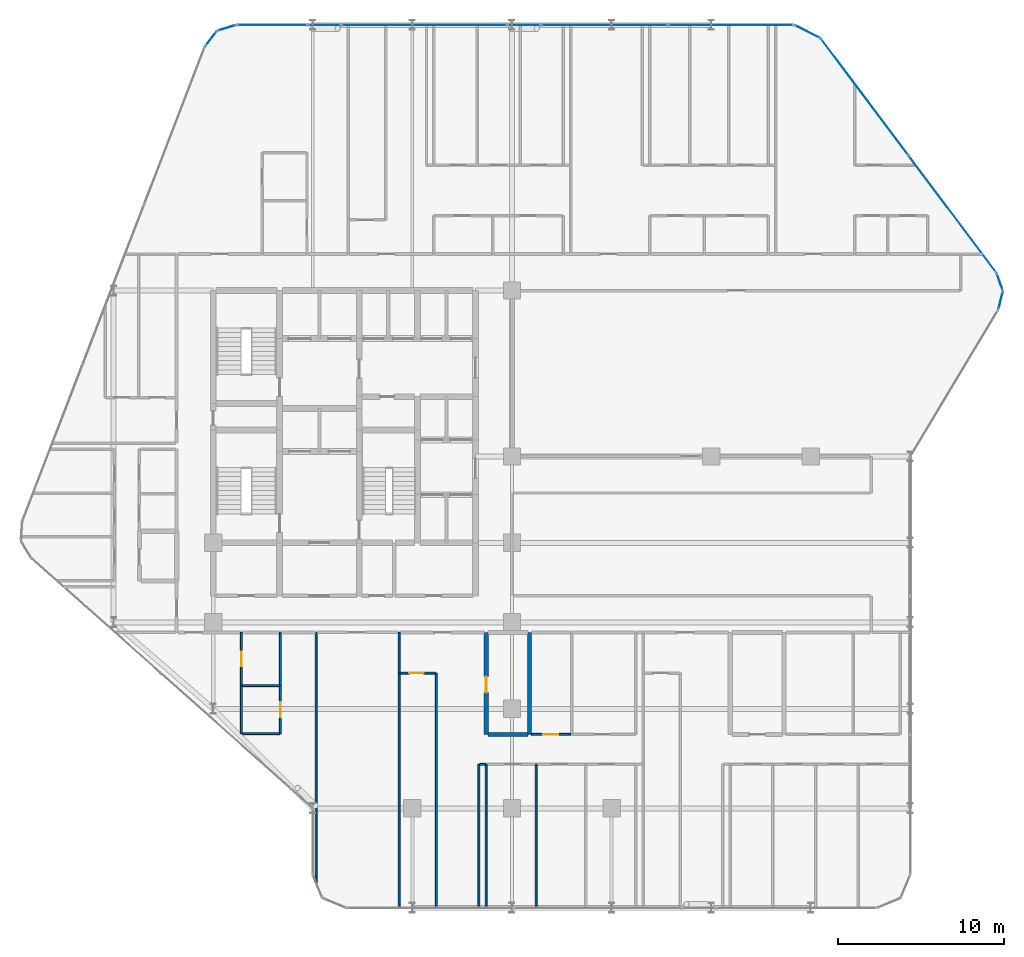
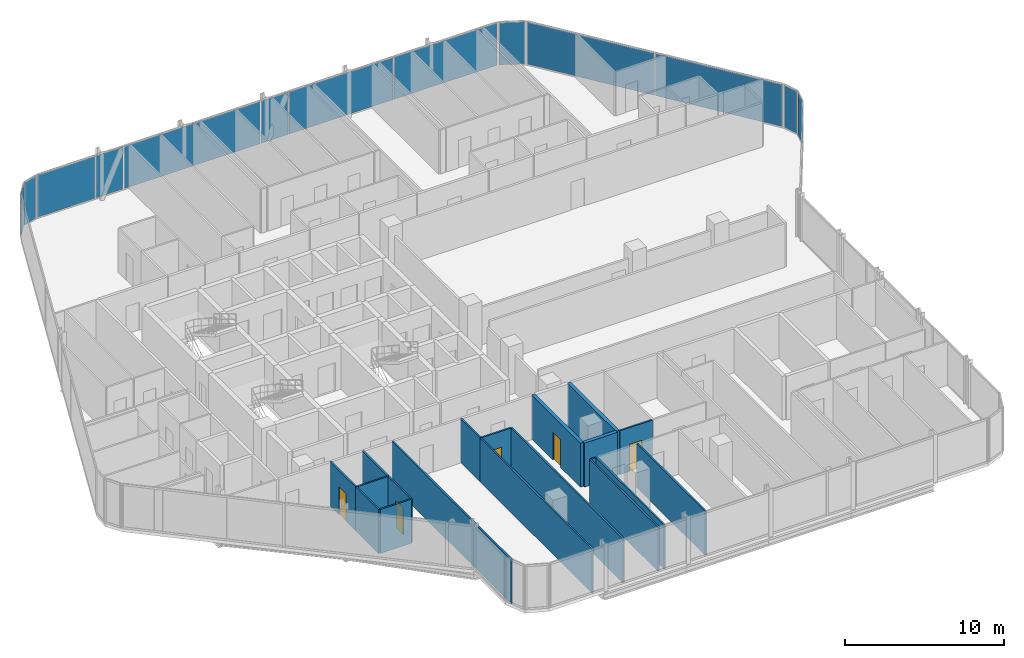
# One storey, part 22 of 29: 19 walls, 13 plates, 5 doors, 5 openings, 11 elements without a shape of their own.
"""IFC4 building model written with IfcOpenShell, lengths in metres."""

from ifc_helpers import new_model, si_unit, direction, frame, frame_2d, origin, origin_2d, place, context, subcontext, project, spatial, rectangle, extrude, material, layer, layer_set, type_object, element, fill, aggregate, save


model = new_model("IFC4")

# Units and contexts
model_context = context("Model", 3, precision=1e-05, world=origin(), true_north=direction((0.0, 1.0)))
body_context = subcontext(model_context, "Body", "Model", "MODEL_VIEW")
ifc_project = project(units=[si_unit("LENGTHUNIT", "METRE"), si_unit("AREAUNIT", "SQUARE_METRE"), si_unit("VOLUMEUNIT", "CUBIC_METRE"), si_unit("PLANEANGLEUNIT", "RADIAN"), si_unit("MASSUNIT", "GRAM", prefix="KILO")], contexts=[model_context])

# Site, building, storey
site_placement = place(None, origin())
site = spatial("IfcSite", under=ifc_project, at=site_placement, CompositionType="ELEMENT")
building_placement = place(site_placement, origin())
building = spatial("IfcBuilding", under=site, at=building_placement, Name="Keshet Zoharim Tower", CompositionType="ELEMENT")
storey_placement = place(building_placement, frame((0.0, 0.0, 105.699951171875)))
storey = spatial("IfcBuildingStorey", under=building, at=storey_placement, Name="L25", CompositionType="ELEMENT", Elevation=105.699951171875)

# Curtain wall, plate
ifc_material_1 = material(Name="Aluminium 6063-T6", Category="aluminium")
ifc_layer_1 = layer(ifc_material_1, 0.159912109375)
ifc_layer_set_1 = layer_set([ifc_layer_1], Name="Aluminium 6063-T6")
curtain_wall_type = type_object("IfcCurtainWallType", Name="CW-SYS-03", PredefinedType="NOTDEFINED", material=ifc_layer_set_1)
curtain_wall_1_placement = place(storey_placement, origin())
curtain_wall_1 = element("IfcCurtainWall", 1, at=curtain_wall_1_placement, inside=storey, type_object=curtain_wall_type, Name="L25 Unitised Curtain Wall 11", PredefinedType="NOTDEFINED")
ifc_material_2 = material(Name="Insulated Low-E Clear Glass", Category="glass")
ifc_layer_2 = layer(ifc_material_2, 0.035888671875)
ifc_layer_set_2 = layer_set([ifc_layer_2], Name="Insulated Low-E Clear Glass")
plate_type_1 = type_object("IfcPlateType", Name="CWP-01", PredefinedType="CURTAIN_PANEL", material=ifc_layer_set_2)
plate_1_placement = place(storey_placement, frame((14.8740234375, 53.08349609375, 0.070068359375), z_axis=(0.0, 0.0, 1.0), x_axis=(0.619124525989, 0.785292825205, 0.0)))
plate_1 = element("IfcPlate", 2, at=plate_1_placement, type_object=plate_type_1, Name="CW-03 panel 1.1", PredefinedType="CURTAIN_PANEL", context=body_context, shape_type="SweptSolid", body=[
    extrude(rectangle(XDim=1.045654296875, YDim=0.035888671875, at=origin_2d()), origin(), (0.0, 0.0, 1.0), 3.2451171875),
])
aggregate(curtain_wall_1, [plate_1])

curtain_wall_2_placement = place(storey_placement, origin())
curtain_wall_2 = element("IfcCurtainWall", 3, at=curtain_wall_2_placement, inside=storey, type_object=curtain_wall_type, Name="L25 Unitised Curtain Wall 12", PredefinedType="NOTDEFINED")
plate_2_placement = place(storey_placement, frame((15.8076171875, 53.724609375, 0.070068359375), z_axis=(0.0, 0.0, 1.0), x_axis=(0.955212151288, 0.295921857984, 0.0)))
plate_2 = element("IfcPlate", 4, at=plate_2_placement, type_object=plate_type_1, Name="CW-03 panel 1.1", PredefinedType="CURTAIN_PANEL", context=body_context, shape_type="SweptSolid", body=[
    extrude(rectangle(XDim=1.046142578125, YDim=0.035888671875, at=origin_2d()), origin(), (0.0, 0.0, 1.0), 3.2451171875),
])
aggregate(curtain_wall_2, [plate_2])

curtain_wall_3_placement = place(storey_placement, origin())
curtain_wall_3 = element("IfcCurtainWall", 5, at=curtain_wall_3_placement, inside=storey, type_object=curtain_wall_type, Name="L25 Unitised Curtain Wall 13", PredefinedType="NOTDEFINED")
ifc_layer_3 = layer(ifc_material_2, 0.031982421875)
ifc_layer_set_3 = layer_set([ifc_layer_3], Name="Insulated Low-E Clear Glass")
plate_type_2 = type_object("IfcPlateType", Name="CWP-02", PredefinedType="CURTAIN_PANEL", material=ifc_layer_set_3)
plate_3_placement = place(storey_placement, frame((18.5556640625, 53.89990234375, 0.070068359375), z_axis=(0.0, 0.0, 1.0), x_axis=(1.0, 0.0, 0.0)))
plate_3 = element("IfcPlate", 6, at=plate_3_placement, type_object=plate_type_2, Name="CW-03 panel 1.1", PredefinedType="CURTAIN_PANEL", context=body_context, shape_type="SweptSolid", body=[
    extrude(rectangle(XDim=4.223388671875, YDim=0.031982421875, at=origin_2d()), origin(), (0.0, 0.0, 1.0), 3.2451171875),
])
aggregate(curtain_wall_3, [plate_3])

curtain_wall_4_placement = place(storey_placement, origin())
curtain_wall_4 = element("IfcCurtainWall", 7, at=curtain_wall_4_placement, inside=storey, type_object=curtain_wall_type, Name="L25 Unitised Curtain Wall 13 Part 3", PredefinedType="NOTDEFINED")
plate_4_placement = place(storey_placement, frame((27.715087890625, 53.89990234375, 0.070068359375), z_axis=(0.0, 0.0, 1.0), x_axis=(1.0, 0.0, 0.0)))
plate_4 = element("IfcPlate", 8, at=plate_4_placement, type_object=plate_type_2, Name="CW-03 panel 1.1", PredefinedType="CURTAIN_PANEL", context=body_context, shape_type="SweptSolid", body=[
    extrude(rectangle(XDim=9.90478515625, YDim=0.031982421875, at=origin_2d()), origin(), (0.0, 0.0, 1.0), 3.2451171875),
])
aggregate(curtain_wall_4, [plate_4])

# Curtain wall, plates
curtain_wall_5_placement = place(storey_placement, origin())
curtain_wall_5 = element("IfcCurtainWall", 9, at=curtain_wall_5_placement, inside=storey, type_object=curtain_wall_type, Name="L25 Unitised Curtain Wall 13 Part 5", PredefinedType="NOTDEFINED")
plate_5_placement = place(storey_placement, frame((38.554443359375, 53.89990234375, 0.070068359375), z_axis=(0.0, 0.0, 1.0), x_axis=(1.0, 0.0, 0.0)))
plate_5 = element("IfcPlate", 10, at=plate_5_placement, type_object=plate_type_2, Name="CW-03 panel 1.1", PredefinedType="CURTAIN_PANEL", context=body_context, shape_type="SweptSolid", body=[
    extrude(rectangle(XDim=7.583740234375, YDim=0.031982421875, at=origin_2d()), origin(), (0.0, 0.0, 1.0), 3.2451171875),
])
plate_6_placement = place(storey_placement, frame((46.173095703125, 53.89990234375, 0.070068359375), z_axis=(0.0, 0.0, 1.0), x_axis=(1.0, 0.0, 0.0)))
plate_6 = element("IfcPlate", 11, at=plate_6_placement, type_object=plate_type_2, Name="CW-03 panel 2.1", PredefinedType="CURTAIN_PANEL", context=body_context, shape_type="SweptSolid", body=[
    extrude(rectangle(XDim=7.513671875, YDim=0.031982421875, at=origin_2d()), origin(), (0.0, 0.0, 1.0), 3.2451171875),
])
aggregate(curtain_wall_5, [plate_5, plate_6])

# Curtain wall, plate
curtain_wall_6_placement = place(storey_placement, origin())
curtain_wall_6 = element("IfcCurtainWall", 12, at=curtain_wall_6_placement, inside=storey, type_object=curtain_wall_type, Name="L25 Unitised Curtain Wall 14", PredefinedType="NOTDEFINED")
plate_7_placement = place(storey_placement, frame((50.800048828125, 53.5, 0.070068359375), z_axis=(0.0, 0.0, 1.0), x_axis=(0.894427191001, -0.447213595499, 0.0)))
plate_7 = element("IfcPlate", 13, at=plate_7_placement, type_object=plate_type_2, Name="CW-03 panel 1.1", PredefinedType="CURTAIN_PANEL", context=body_context, shape_type="SweptSolid", body=[
    extrude(rectangle(XDim=1.64892578125, YDim=0.031982421875, at=origin_2d()), origin(), (0.0, 0.0, 1.0), 3.2451171875),
])
aggregate(curtain_wall_6, [plate_7])

# Curtain wall, plates
curtain_wall_7_placement = place(storey_placement, origin())
curtain_wall_7 = element("IfcCurtainWall", 14, at=curtain_wall_7_placement, inside=storey, type_object=curtain_wall_type, Name="L25 Unitised Curtain Wall 15", PredefinedType="NOTDEFINED")
plate_8_placement = place(storey_placement, frame((54.2587890625, 49.554931640625, 0.070068359375), z_axis=(0.0, 0.0, 1.0), x_axis=(0.600000000002, -0.799999999998, 0.0)))
plate_8 = element("IfcPlate", 15, at=plate_8_placement, type_object=plate_type_2, Name="CW-03 panel 1.1", PredefinedType="CURTAIN_PANEL", context=body_context, shape_type="SweptSolid", body=[
    extrude(rectangle(XDim=8.722412109375, YDim=0.031982421875, at=origin_2d()), origin(), (0.0, 0.0, 1.0), 3.2451171875),
])
plate_9_placement = place(storey_placement, frame((59.5341796875, 42.52099609375, 0.070068359375), z_axis=(0.0, 0.0, 1.0), x_axis=(0.600000000002, -0.799999999998, 0.0)))
plate_9 = element("IfcPlate", 16, at=plate_9_placement, type_object=plate_type_2, Name="CW-03 panel 2.1", PredefinedType="CURTAIN_PANEL", context=body_context, shape_type="SweptSolid", body=[
    extrude(rectangle(XDim=8.722412109375, YDim=0.031982421875, at=origin_2d()), origin(), (0.0, 0.0, 1.0), 3.2451171875),
])
aggregate(curtain_wall_7, [plate_8, plate_9])

# Curtain wall, plate
curtain_wall_8_placement = place(storey_placement, origin())
curtain_wall_8 = element("IfcCurtainWall", 17, at=curtain_wall_8_placement, inside=storey, type_object=curtain_wall_type, Name="L25 Unitised Curtain Wall 16", PredefinedType="NOTDEFINED")
plate_10_placement = place(storey_placement, frame((62.3916015625, 38.427490234375, 0.070068359375), z_axis=(0.0, 0.0, 1.0), x_axis=(0.340297354046, -0.940317877544, 0.0)))
plate_10 = element("IfcPlate", 18, at=plate_10_placement, type_object=plate_type_2, Name="CW-03 panel 1.1", PredefinedType="CURTAIN_PANEL", context=body_context, shape_type="SweptSolid", body=[
    extrude(rectangle(XDim=1.026611328125, YDim=0.031982421875, at=origin_2d()), origin(), (0.0, 0.0, 1.0), 3.2451171875),
])
aggregate(curtain_wall_8, [plate_10])

curtain_wall_9_placement = place(storey_placement, origin())
curtain_wall_9 = element("IfcCurtainWall", 19, at=curtain_wall_9_placement, inside=storey, type_object=curtain_wall_type, Name="L25 Unitised Curtain Wall 17", PredefinedType="NOTDEFINED")
plate_11_placement = place(storey_placement, frame((62.448974609375, 37.31298828125, 0.070068359375), z_axis=(0.0, 0.0, 1.0), x_axis=(-0.241728770141, -0.970343857447, 0.0)))
plate_11 = element("IfcPlate", 20, at=plate_11_placement, type_object=plate_type_2, Name="CW-03 panel 1.1", PredefinedType="CURTAIN_PANEL", context=body_context, shape_type="SweptSolid", body=[
    extrude(rectangle(XDim=1.026611328125, YDim=0.031982421875, at=origin_2d()), origin(), (0.0, 0.0, 1.0), 3.2451171875),
])
aggregate(curtain_wall_9, [plate_11])

curtain_wall_10_placement = place(storey_placement, origin())
curtain_wall_10 = element("IfcCurtainWall", 21, at=curtain_wall_10_placement, inside=storey, type_object=curtain_wall_type, Name="L25 Unitised Curtain Wall 13 Part 2", PredefinedType="NOTDEFINED")
ifc_material_3 = material(Name="Insulated Aluminium Spandrel Panel", Category="aluminium")
ifc_layer_4 = layer(ifc_material_3, 0.031982421875)
ifc_layer_set_4 = layer_set([ifc_layer_4], Name="Insulated Aluminium Spandrel Panel")
plate_type_3 = type_object("IfcPlateType", Name="CWP-05", PredefinedType="CURTAIN_PANEL", material=ifc_layer_set_4)
plate_12_placement = place(storey_placement, frame((21.715087890625, 53.89990234375, 0.070068359375), z_axis=(0.0, 0.0, 1.0), x_axis=(1.0, 0.0, 0.0)))
plate_12 = element("IfcPlate", 22, at=plate_12_placement, type_object=plate_type_3, Name="CW-03 spandrel panel 1.1", PredefinedType="CURTAIN_PANEL", context=body_context, shape_type="SweptSolid", body=[
    extrude(rectangle(XDim=1.955078125, YDim=0.031982421875, at=origin_2d()), origin(), (0.0, 0.0, 1.0), 3.2451171875),
])
aggregate(curtain_wall_10, [plate_12])

curtain_wall_11_placement = place(storey_placement, origin())
curtain_wall_11 = element("IfcCurtainWall", 23, at=curtain_wall_11_placement, inside=storey, type_object=curtain_wall_type, Name="L25 Unitised Curtain Wall 13 Part 4", PredefinedType="NOTDEFINED")
plate_13_placement = place(storey_placement, frame((33.715087890625, 53.89990234375, 0.070068359375), z_axis=(0.0, 0.0, 1.0), x_axis=(1.0, 0.0, 0.0)))
plate_13 = element("IfcPlate", 24, at=plate_13_placement, type_object=plate_type_3, Name="CW-03 spandrel panel 1.1", PredefinedType="CURTAIN_PANEL", context=body_context, shape_type="SweptSolid", body=[
    extrude(rectangle(XDim=1.955078125, YDim=0.031982421875, at=origin_2d()), origin(), (0.0, 0.0, 1.0), 3.2451171875),
])
aggregate(curtain_wall_11, [plate_13])

# Wall, opening, door
ifc_material_4 = material(Name="Concrete C50/60", Category="concrete")
ifc_layer_5 = layer(ifc_material_4, 0.25)
ifc_layer_set_5 = layer_set([ifc_layer_5], Name="Concrete C50/60")
wall_type_1 = type_object("IfcWallType", Name="WL-MAMAD-250", PredefinedType="STANDARD", material=ifc_layer_set_5)
wall_1_placement = place(storey_placement, frame((31.449951171875, 11.14990234375, 0.0), z_axis=(0.0, 0.0, 1.0), x_axis=(0.0, 1.0, 0.0)))
wall_1 = element("IfcWall", 25, at=wall_1_placement, inside=storey, type_object=wall_type_1, Name="L25 Interior Wall 068", PredefinedType="STANDARD", context=body_context, shape_type="SweptSolid", body=[
    extrude(rectangle(XDim=6.150146484375, YDim=0.25, at=frame_2d((3.0751953125, 0.0))), origin(), (0.0, 0.0, 1.0), 3.385009765625),
])
opening_1_placement = place(wall_1_placement, frame((2.529052734375, 0.0, 0.0)))
opening_1 = element("IfcOpeningElement", 26, at=opening_1_placement, cuts=wall_1, Name="Opening D-F695", PredefinedType="OPENING", context=body_context, shape_type="SweptSolid", body=[
    extrude(rectangle(XDim=0.949951171875, YDim=2.14990234375, at=frame_2d((0.47509765625, 1.074951171875))), frame((0.0, 0.135009765625, 0.0), z_axis=(0.0, -1.0, 0.0), x_axis=(1.0, 0.0, 0.0)), (0.0, 0.0, 1.0), 0.27001953125),
])
ifc_material_5 = material(Name="Hardwood Timber", Category="wood")
door_type_1 = type_object("IfcDoorType", Name="DR-FD60-095", OperationType="NOTDEFINED", PredefinedType="DOOR", material=ifc_material_5)
door_1_placement = place(opening_1_placement, origin())
door_1 = element("IfcDoor", 27, at=door_1_placement, inside=storey, type_object=door_type_1, Name="Apartment 2502 Study and Shelter Room Door", OperationType="SINGLE_SWING_LEFT", OverallHeight=2.14990234375, OverallWidth=0.949951171875, PredefinedType="DOOR", context=body_context, shape_type="SweptSolid", body=[
    extrude(rectangle(XDim=0.949951171875, YDim=2.14990234375, at=frame_2d((0.47509765625, 1.074951171875))), frame((0.0, 0.02490234375, 0.0), z_axis=(0.0, -1.0, 0.0), x_axis=(1.0, 0.0, 0.0)), (0.0, 0.0, 1.0), 0.050048828125),
])
fill(opening_1, door_1)

# Walls
wall_2_placement = place(storey_placement, frame((34.050048828125, 11.14990234375, 0.0), z_axis=(0.0, 0.0, 1.0), x_axis=(0.0, 1.0, 0.0)))
element("IfcWall", 28, at=wall_2_placement, inside=storey, type_object=wall_type_1, Name="L25 Interior Wall 073", PredefinedType="STANDARD", context=body_context, shape_type="SweptSolid", body=[
    extrude(rectangle(XDim=6.150146484375, YDim=0.25, at=frame_2d((3.0751953125, 0.0))), origin(), (0.0, 0.0, 1.0), 3.385009765625),
])
wall_3_placement = place(storey_placement, frame((31.56005859375, 11.14990234375, 0.0), z_axis=(0.0, 0.0, 1.0), x_axis=(1.0, 0.0, 0.0)))
element("IfcWall", 29, at=wall_3_placement, inside=storey, type_object=wall_type_1, Name="L25 Interior Wall 116", PredefinedType="STANDARD", context=body_context, shape_type="SweptSolid", body=[
    extrude(rectangle(XDim=2.392822265625, YDim=0.25, at=frame_2d((1.1962890625, 0.0))), origin(), (0.0, 0.0, 1.0), 3.385009765625),
])

# Wall, opening, door
ifc_material_6 = material(Name="Gypsum Plasterboard", Category="gypsum")
ifc_layer_6 = layer(ifc_material_6, 0.1201171875)
ifc_layer_set_6 = layer_set([ifc_layer_6], Name="Gypsum Plasterboard")
wall_type_2 = type_object("IfcWallType", Name="WL-PART-120", PredefinedType="PARTITIONING", material=ifc_layer_set_6)
wall_4_placement = place(storey_placement, frame((16.699951171875, 14.10009765625, 0.0), z_axis=(0.0, 0.0, 1.0), x_axis=(0.0, 1.0, 0.0)))
wall_4 = element("IfcWall", 30, at=wall_4_placement, inside=storey, type_object=wall_type_2, Name="L25 Interior Wall 018", PredefinedType="PARTITIONING", context=body_context, shape_type="SweptSolid", body=[
    extrude(rectangle(XDim=3.199951171875, YDim=0.1201171875, at=frame_2d((1.60009765625, 0.0))), origin(), (0.0, 0.0, 1.0), 3.385009765625),
])
opening_2_placement = place(wall_4_placement, frame((1.14990234375, 0.0, 0.0)))
opening_2 = element("IfcOpeningElement", 31, at=opening_2_placement, cuts=wall_4, Name="Opening D-IN90", PredefinedType="OPENING", context=body_context, shape_type="SweptSolid", body=[
    extrude(rectangle(XDim=0.89990234375, YDim=2.14990234375, at=frame_2d((0.449951171875, 1.074951171875))), frame((0.0, 0.070068359375, 0.0), z_axis=(0.0, -1.0, 0.0), x_axis=(1.0, 0.0, 0.0)), (0.0, 0.0, 1.0), 0.14013671875),
])
door_type_2 = type_object("IfcDoorType", Name="DR-INT-090", OperationType="NOTDEFINED", PredefinedType="DOOR", material=ifc_material_5)
door_2_placement = place(opening_2_placement, origin())
door_2 = element("IfcDoor", 32, at=door_2_placement, inside=storey, type_object=door_type_2, Name="Apartment 2501 Kitchenette Door", OperationType="SINGLE_SWING_LEFT", OverallHeight=2.14990234375, OverallWidth=0.89990234375, PredefinedType="DOOR", context=body_context, shape_type="SweptSolid", body=[
    extrude(rectangle(XDim=0.89990234375, YDim=2.14990234375, at=frame_2d((0.449951171875, 1.074951171875))), frame((0.0, 0.02490234375, 0.0), z_axis=(0.0, -1.0, 0.0), x_axis=(1.0, 0.0, 0.0)), (0.0, 0.0, 1.0), 0.050048828125),
])
fill(opening_2, door_2)

# Walls
wall_5_placement = place(storey_placement, frame((19.050048828125, 14.10009765625, 0.0), z_axis=(0.0, 0.0, 1.0), x_axis=(0.0, 1.0, 0.0)))
element("IfcWall", 33, at=wall_5_placement, inside=storey, type_object=wall_type_2, Name="L25 Interior Wall 027", PredefinedType="PARTITIONING", context=body_context, shape_type="SweptSolid", body=[
    extrude(rectangle(XDim=3.199951171875, YDim=0.1201171875, at=frame_2d((1.60009765625, 0.0))), origin(), (0.0, 0.0, 1.0), 3.385009765625),
])
wall_6_placement = place(storey_placement, frame((21.199951171875, 2.22705078125, 0.0), z_axis=(0.0, 0.0, 1.0), x_axis=(0.0, 1.0, 0.0)))
element("IfcWall", 34, at=wall_6_placement, inside=storey, type_object=wall_type_2, Name="L25 Interior Wall 030", PredefinedType="PARTITIONING", context=body_context, shape_type="SweptSolid", body=[
    extrude(rectangle(XDim=15.072998046875, YDim=0.1201171875, at=frame_2d((7.53662109375, 0.0))), origin(), (0.0, 0.0, 1.0), 3.385009765625),
])
wall_7_placement = place(storey_placement, frame((26.199951171875, 0.7099609375, 0.0), z_axis=(0.0, 0.0, 1.0), x_axis=(0.0, 1.0, 0.0)))
element("IfcWall", 35, at=wall_7_placement, inside=storey, type_object=wall_type_2, Name="L25 Interior Wall 045", PredefinedType="PARTITIONING", context=body_context, shape_type="SweptSolid", body=[
    extrude(rectangle(XDim=14.14013671875, YDim=0.1201171875, at=frame_2d((7.070068359375, 0.0))), origin(), (0.0, 0.0, 1.0), 3.385009765625),
])
wall_8_placement = place(storey_placement, frame((26.199951171875, 14.85009765625, 0.0), z_axis=(0.0, 0.0, 1.0), x_axis=(0.0, 1.0, 0.0)))
element("IfcWall", 36, at=wall_8_placement, inside=storey, type_object=wall_type_2, Name="L25 Interior Wall 046", PredefinedType="PARTITIONING", context=body_context, shape_type="SweptSolid", body=[
    extrude(rectangle(XDim=2.449951171875, YDim=0.1201171875, at=frame_2d((1.22509765625, 0.0))), origin(), (0.0, 0.0, 1.0), 3.385009765625),
])
wall_9_placement = place(storey_placement, frame((28.449951171875, 0.7099609375, 0.0), z_axis=(0.0, 0.0, 1.0), x_axis=(0.0, 1.0, 0.0)))
element("IfcWall", 37, at=wall_9_placement, inside=storey, type_object=wall_type_2, Name="L25 Interior Wall 055", PredefinedType="PARTITIONING", context=body_context, shape_type="SweptSolid", body=[
    extrude(rectangle(XDim=14.14013671875, YDim=0.1201171875, at=frame_2d((7.070068359375, 0.0))), origin(), (0.0, 0.0, 1.0), 3.385009765625),
])
for number, where, z_axis, x_axis, name in (
    (38, (31.0, 0.7099609375, 0.0), (0.0, 0.0, 1.0), (0.0, 1.0, 0.0), "L25 Interior Wall 066"),
    (39, (31.449951171875, 0.7099609375, 0.0), (0.0, 0.0, 1.0), (0.0, 1.0, 0.0), "L25 Interior Wall 067"),
    (40, (34.449951171875, 0.7099609375, 0.0), (0.0, 0.0, 1.0), (0.0, 1.0, 0.0), "L25 Interior Wall 074"),
):
    element("IfcWall", number, at=place(storey_placement, frame(where, z_axis=z_axis, x_axis=x_axis)), inside=storey, type_object=wall_type_2, Name=name, PredefinedType="PARTITIONING", context=body_context, shape_type="SweptSolid", body=[
        extrude(rectangle(XDim=8.64013671875, YDim=0.1201171875, at=frame_2d((4.320068359375, 0.0))), origin(), (0.0, 0.0, 1.0), 3.385009765625),
    ])
wall_10_placement = place(storey_placement, frame((31.044921875, 9.35009765625, 0.0), z_axis=(0.0, 0.0, 1.0), x_axis=(1.0, 0.0, 0.0)))
element("IfcWall", 41, at=wall_10_placement, inside=storey, type_object=wall_type_2, Name="L25 Interior Wall 111", PredefinedType="PARTITIONING", context=body_context, shape_type="SweptSolid", body=[
    extrude(rectangle(XDim=0.360107421875, YDim=0.1201171875, at=frame_2d((0.18017578125, 0.0))), origin(), (0.0, 0.0, 1.0), 3.385009765625),
])

# Wall, opening, door
wall_11_placement = place(storey_placement, frame((26.2451171875, 14.85009765625, 0.0), z_axis=(0.0, 0.0, 1.0), x_axis=(1.0, 0.0, 0.0)))
wall_11 = element("IfcWall", 42, at=wall_11_placement, inside=storey, type_object=wall_type_2, Name="L25 Interior Wall 124", PredefinedType="PARTITIONING", context=body_context, shape_type="SweptSolid", body=[
    extrude(rectangle(XDim=2.159912109375, YDim=0.1201171875, at=frame_2d((1.080078125, 0.0))), origin(), (0.0, 0.0, 1.0), 3.385009765625),
])
opening_3_placement = place(wall_11_placement, frame((0.552978515625, 0.0, 0.0)))
opening_3 = element("IfcOpeningElement", 43, at=opening_3_placement, cuts=wall_11, Name="Opening D-IN90", PredefinedType="OPENING", context=body_context, shape_type="SweptSolid", body=[
    extrude(rectangle(XDim=0.89990234375, YDim=2.14990234375, at=frame_2d((0.449951171875, 1.074951171875))), frame((0.0, 0.070068359375, 0.0), z_axis=(0.0, -1.0, 0.0), x_axis=(1.0, 0.0, 0.0)), (0.0, 0.0, 1.0), 0.14013671875),
])
door_3_placement = place(opening_3_placement, origin())
door_3 = element("IfcDoor", 44, at=door_3_placement, inside=storey, type_object=door_type_2, Name="Apartment 2502 Formal Dining Room Door", OperationType="SINGLE_SWING_RIGHT", OverallHeight=2.14990234375, OverallWidth=0.89990234375, PredefinedType="DOOR", context=body_context, shape_type="SweptSolid", body=[
    extrude(rectangle(XDim=0.89990234375, YDim=2.14990234375, at=frame_2d((0.449951171875, 1.074951171875))), frame((0.0, 0.02490234375, 0.0), z_axis=(0.0, -1.0, 0.0), x_axis=(1.0, 0.0, 0.0)), (0.0, 0.0, 1.0), 0.050048828125),
])
fill(opening_3, door_3)

# Wall
ifc_layer_7 = layer(ifc_material_6, 0.1201171875)
ifc_layer_set_7 = layer_set([ifc_layer_7], Name="Gypsum Plasterboard")
wall_type_3 = type_object("IfcWallType", Name="WL-WET-120", PredefinedType="PARTITIONING", material=ifc_layer_set_7)
wall_12_placement = place(storey_placement, frame((16.699951171875, 11.199951171875, 0.0), z_axis=(0.0, 0.0, 1.0), x_axis=(0.0, 1.0, 0.0)))
element("IfcWall", 45, at=wall_12_placement, inside=storey, type_object=wall_type_3, Name="L25 Interior Wall 017", PredefinedType="PARTITIONING", context=body_context, shape_type="SweptSolid", body=[
    extrude(rectangle(XDim=2.900146484375, YDim=0.1201171875, at=frame_2d((1.4501953125, 0.0))), origin(), (0.0, 0.0, 1.0), 3.385009765625),
])

# Wall, opening, door
wall_13_placement = place(storey_placement, frame((19.050048828125, 11.199951171875, 0.0), z_axis=(0.0, 0.0, 1.0), x_axis=(0.0, 1.0, 0.0)))
wall_13 = element("IfcWall", 46, at=wall_13_placement, inside=storey, type_object=wall_type_3, Name="L25 Interior Wall 026", PredefinedType="PARTITIONING", context=body_context, shape_type="SweptSolid", body=[
    extrude(rectangle(XDim=2.900146484375, YDim=0.1201171875, at=frame_2d((1.4501953125, 0.0))), origin(), (0.0, 0.0, 1.0), 3.385009765625),
])
opening_4_placement = place(wall_13_placement, frame((1.0, 0.0, 0.0)))
opening_4 = element("IfcOpeningElement", 47, at=opening_4_placement, cuts=wall_13, Name="Opening D-WT90", PredefinedType="OPENING", context=body_context, shape_type="SweptSolid", body=[
    extrude(rectangle(XDim=0.89990234375, YDim=2.10009765625, at=frame_2d((0.449951171875, 1.050048828125))), frame((0.0, 0.070068359375, 0.0), z_axis=(0.0, -1.0, 0.0), x_axis=(1.0, 0.0, 0.0)), (0.0, 0.0, 1.0), 0.14013671875),
])
door_type_3 = type_object("IfcDoorType", Name="DR-WET-090", OperationType="NOTDEFINED", PredefinedType="DOOR", material=ifc_material_5)
door_4_placement = place(opening_4_placement, origin())
door_4 = element("IfcDoor", 48, at=door_4_placement, inside=storey, type_object=door_type_3, Name="Apartment 2501 Bathroom Door", OperationType="SINGLE_SWING_LEFT", OverallHeight=2.10009765625, OverallWidth=0.89990234375, PredefinedType="DOOR", context=body_context, shape_type="SweptSolid", body=[
    extrude(rectangle(XDim=0.89990234375, YDim=2.10009765625, at=frame_2d((0.449951171875, 1.050048828125))), frame((0.0, 0.02490234375, 0.0), z_axis=(0.0, -1.0, 0.0), x_axis=(1.0, 0.0, 0.0)), (0.0, 0.0, 1.0), 0.050048828125),
])
fill(opening_4, door_4)

wall_14_placement = place(storey_placement, frame((34.173095703125, 11.14990234375, 0.0), z_axis=(0.0, 0.0, 1.0), x_axis=(1.0, 0.0, 0.0)))
wall_14 = element("IfcWall", 49, at=wall_14_placement, inside=storey, type_object=wall_type_3, Name="L25 Interior Wall 117", PredefinedType="PARTITIONING", context=body_context, shape_type="SweptSolid", body=[
    extrude(rectangle(XDim=2.367919921875, YDim=0.1201171875, at=frame_2d((1.18408203125, 0.0))), origin(), (0.0, 0.0, 1.0), 3.385009765625),
])
opening_5_placement = place(wall_14_placement, frame((0.701904296875, 0.0, 0.0)))
opening_5 = element("IfcOpeningElement", 50, at=opening_5_placement, cuts=wall_14, Name="Opening D-WT90", PredefinedType="OPENING", context=body_context, shape_type="SweptSolid", body=[
    extrude(rectangle(XDim=0.89990234375, YDim=2.10009765625, at=frame_2d((0.449951171875, 1.050048828125))), frame((0.0, 0.070068359375, 0.0), z_axis=(0.0, -1.0, 0.0), x_axis=(1.0, 0.0, 0.0)), (0.0, 0.0, 1.0), 0.14013671875),
])
door_5_placement = place(opening_5_placement, origin())
door_5 = element("IfcDoor", 51, at=door_5_placement, inside=storey, type_object=door_type_3, Name="Apartment 2502 Bathroom Door", OperationType="SINGLE_SWING_LEFT", OverallHeight=2.10009765625, OverallWidth=0.89990234375, PredefinedType="DOOR", context=body_context, shape_type="SweptSolid", body=[
    extrude(rectangle(XDim=0.89990234375, YDim=2.10009765625, at=frame_2d((0.449951171875, 1.050048828125))), frame((0.0, 0.02490234375, 0.0), z_axis=(0.0, -1.0, 0.0), x_axis=(1.0, 0.0, 0.0)), (0.0, 0.0, 1.0), 0.050048828125),
])
fill(opening_5, door_5)

# Walls
for number, where, z_axis, x_axis, name in (
    (52, (16.7451171875, 11.199951171875, 0.0), (0.0, 0.0, 1.0), (1.0, 0.0, 0.0), "L25 Interior Wall 122"),
    (53, (16.7451171875, 14.10009765625, 0.0), (0.0, 0.0, 1.0), (1.0, 0.0, 0.0), "L25 Interior Wall 123"),
):
    element("IfcWall", number, at=place(storey_placement, frame(where, z_axis=z_axis, x_axis=x_axis)), inside=storey, type_object=wall_type_3, Name=name, PredefinedType="PARTITIONING", context=body_context, shape_type="SweptSolid", body=[
        extrude(rectangle(XDim=2.259765625, YDim=0.1201171875, at=frame_2d((1.1298828125, 0.0))), origin(), (0.0, 0.0, 1.0), 3.385009765625),
    ])

save(model, "model.ifc")
